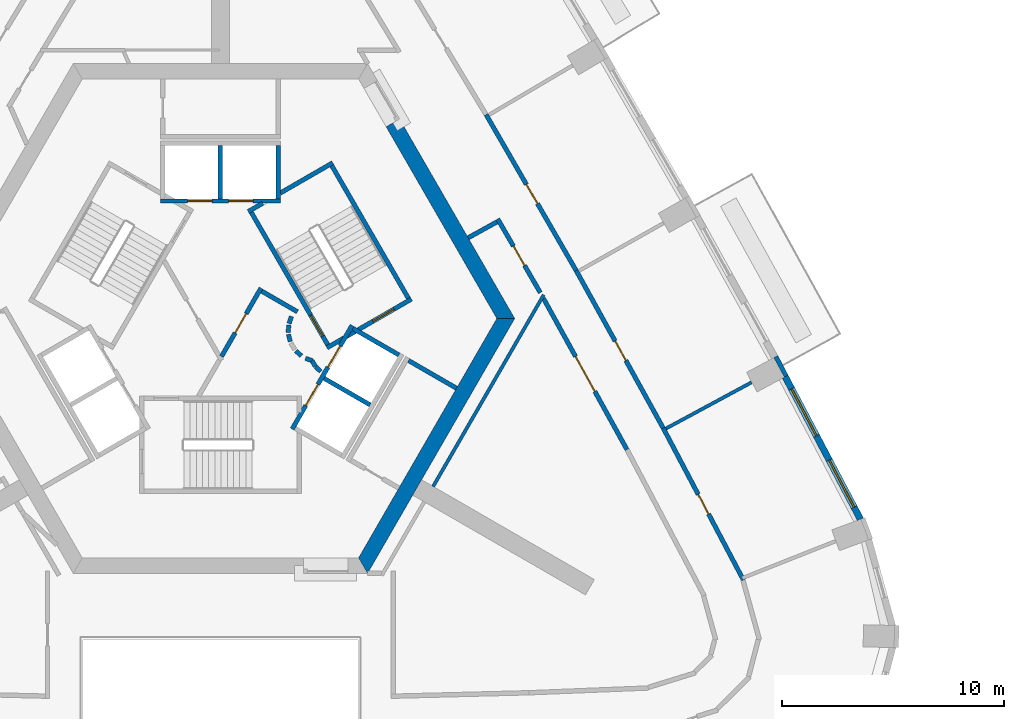
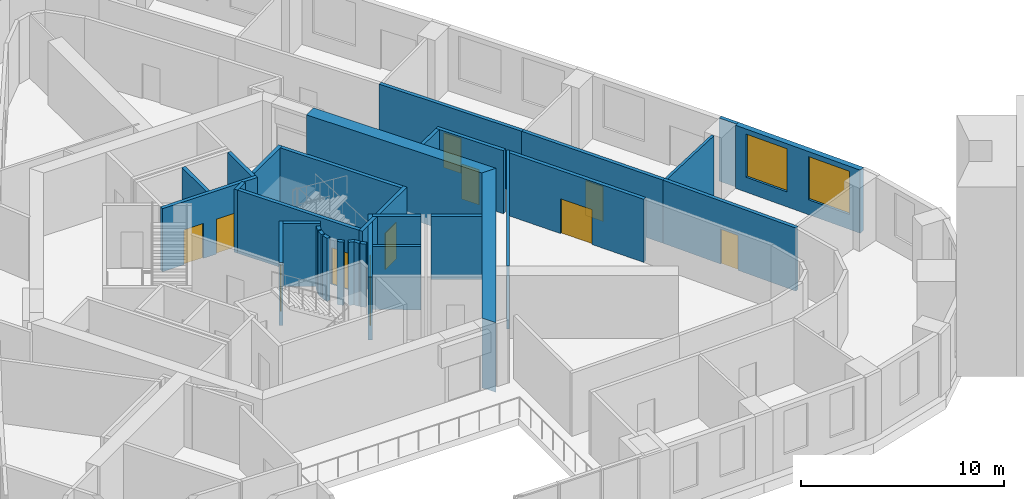
# One storey, part 7 of 13: 33 walls, 12 doors, 2 windows, 14 openings.
"""IFC4 building model written with IfcOpenShell, lengths in metres."""

from ifc_helpers import new_model, si_unit, direction, frame, frame_2d, origin, place, context, subcontext, project, spatial, polyline, rectangle, outline, extrude, material, layer, layer_set, type_object, element, fill, save


model = new_model("IFC4")

# Units and contexts
model_context = context("Model", 3, precision=1e-05, world=origin(), true_north=direction((0.0, 1.0)))
body_context = subcontext(model_context, "Body", "Model", "MODEL_VIEW")
ifc_project = project(units=[si_unit("LENGTHUNIT", "METRE"), si_unit("AREAUNIT", "SQUARE_METRE"), si_unit("VOLUMEUNIT", "CUBIC_METRE"), si_unit("PLANEANGLEUNIT", "RADIAN"), si_unit("MASSUNIT", "GRAM", prefix="KILO")], contexts=[model_context])

# Site, building, storey
site_placement = place(None, origin())
site = spatial("IfcSite", under=ifc_project, at=site_placement, CompositionType="ELEMENT")
building_placement = place(site_placement, origin())
building = spatial("IfcBuilding", under=site, at=building_placement, Name="Entoto Arch Interchange Tower", CompositionType="ELEMENT")
storey_placement = place(building_placement, frame((0.0, 0.0, 202.39990234375)))
storey = spatial("IfcBuildingStorey", under=building, at=storey_placement, Name="L45", CompositionType="ELEMENT", Elevation=202.39990234375)

# Walls
ifc_material_1 = material(Name="Concrete C50/60", Category="concrete")
ifc_layer_1 = layer(ifc_material_1, 0.699951171875)
ifc_layer_set_1 = layer_set([ifc_layer_1], Name="Concrete C50/60")
wall_type_1 = type_object("IfcWallType", Name="Core wall 700 C50/60", PredefinedType="SHEAR", material=ifc_layer_set_1)
wall_1_placement = place(storey_placement, frame((0.0, 0.0, -0.39990234375)))
element("IfcWall", 1, at=wall_1_placement, inside=storey, type_object=wall_type_1, Name="Core wall NE L45", PredefinedType="SHEAR", context=body_context, shape_type="SweptSolid", body=[
    extrude(outline(polyline([(8.083984375, 11.498046875), (7.47802734375, 11.14794921875), (12.470947265625, 2.5), (13.279052734375, 2.5), (8.083984375, 11.498046875)])), origin(), (0.0, 0.0, 1.0), 4.199951171875),
])
wall_2_placement = place(storey_placement, frame((0.0, 0.0, -0.39990234375)))
element("IfcWall", 2, at=wall_2_placement, inside=storey, type_object=wall_type_1, Name="Core wall SE L45", PredefinedType="SHEAR", context=body_context, shape_type="SweptSolid", body=[
    extrude(outline(polyline([(6.639892578125, -9.0), (13.279052734375, 2.5), (12.470947265625, 2.5), (6.235107421875, -8.300048828125), (6.639892578125, -9.0)])), origin(), (0.0, 0.0, 1.0), 4.199951171875),
])

# Wall, openings, doors
ifc_material_2 = material(Name="Concrete C40/50", Category="concrete")
ifc_layer_2 = layer(ifc_material_2, 0.199951171875)
ifc_layer_set_2 = layer_set([ifc_layer_2], Name="Concrete C40/50")
wall_type_2 = type_object("IfcWallType", Name="LIFT SHAFT WALL 200", PredefinedType="STANDARD", material=ifc_layer_set_2)
wall_3_placement = place(storey_placement, frame((2.699951171875, 7.800048828125, 0.0), z_axis=(0.0, 0.0, 1.0), x_axis=(-1.0, 0.0, 0.0)))
wall_3 = element("IfcWall", 3, at=wall_3_placement, inside=storey, type_object=wall_type_2, Name="Shaft wall N1 front", PredefinedType="STANDARD", context=body_context, shape_type="SweptSolid", body=[
    extrude(rectangle(XDim=5.39990234375, YDim=0.199951171875, at=frame_2d((2.699951171875, 0.0))), origin(), (0.0, 0.0, 1.0), 3.800048828125),
])
opening_1_placement = place(wall_3_placement, frame((1.22509765625, 0.0, 0.0)))
opening_1 = element("IfcOpeningElement", 4, at=opening_1_placement, cuts=wall_3, Name="Opening LD-HR1-L45", PredefinedType="OPENING", context=body_context, shape_type="SweptSolid", body=[
    extrude(rectangle(XDim=1.10009765625, YDim=2.10009765625, at=frame_2d((0.550048828125, 1.050048828125))), frame((0.0, 0.10986328125, 0.0), z_axis=(0.0, -1.0, 0.0), x_axis=(1.0, 0.0, 0.0)), (0.0, 0.0, 1.0), 0.219970703125),
])
opening_2_placement = place(wall_3_placement, frame((3.074951171875, 0.0, 0.0)))
opening_2 = element("IfcOpeningElement", 5, at=opening_2_placement, cuts=wall_3, Name="Opening LD-HR2-L45", PredefinedType="OPENING", context=body_context, shape_type="SweptSolid", body=[
    extrude(rectangle(XDim=1.10009765625, YDim=2.10009765625, at=frame_2d((0.550048828125, 1.050048828125))), frame((0.0, 0.10986328125, 0.0), z_axis=(0.0, -1.0, 0.0), x_axis=(1.0, 0.0, 0.0)), (0.0, 0.0, 1.0), 0.219970703125),
])
ifc_material_3 = material(Name="Stainless steel 1.4301 panels", Category="steel")
door_type_1 = type_object("IfcDoorType", Name="LIFT LANDING DOOR LD1 1100x2100", OperationType="SLIDING_TO_LEFT", PredefinedType="DOOR", material=ifc_material_3)
door_1_placement = place(opening_1_placement, origin())
door_1 = element("IfcDoor", 6, at=door_1_placement, inside=storey, type_object=door_type_1, Name="Lift landing door HR1 L45", OperationType="SLIDING_TO_LEFT", OverallHeight=2.10009765625, OverallWidth=1.10009765625, PredefinedType="DOOR", context=body_context, shape_type="SweptSolid", body=[
    extrude(rectangle(XDim=1.10009765625, YDim=2.10009765625, at=frame_2d((0.550048828125, 1.050048828125))), frame((0.0, 0.02490234375, 0.0), z_axis=(0.0, -1.0, 0.0), x_axis=(1.0, 0.0, 0.0)), (0.0, 0.0, 1.0), 0.050048828125),
])
fill(opening_1, door_1)
door_2_placement = place(opening_2_placement, origin())
door_2 = element("IfcDoor", 7, at=door_2_placement, inside=storey, type_object=door_type_1, Name="Lift landing door HR2 L45", OperationType="SLIDING_TO_LEFT", OverallHeight=2.10009765625, OverallWidth=1.10009765625, PredefinedType="DOOR", context=body_context, shape_type="SweptSolid", body=[
    extrude(rectangle(XDim=1.10009765625, YDim=2.10009765625, at=frame_2d((0.550048828125, 1.050048828125))), frame((0.0, 0.02490234375, 0.0), z_axis=(0.0, -1.0, 0.0), x_axis=(1.0, 0.0, 0.0)), (0.0, 0.0, 1.0), 0.050048828125),
])
fill(opening_2, door_2)

# Walls
for number, where, z_axis, x_axis, name in (
    (8, (2.60009765625, 7.89990234375, 0.0), (0.0, 0.0, 1.0), (0.0, 1.0, 0.0), "Shaft wall N1 cross 1"),
    (9, (0.0, 7.89990234375, 0.0), (0.0, 0.0, 1.0), (0.0, 1.0, 0.0), "Shaft wall N1 cross 2"),
):
    element("IfcWall", number, at=place(storey_placement, frame(where, z_axis=z_axis, x_axis=x_axis)), inside=storey, type_object=wall_type_2, Name=name, PredefinedType="STANDARD", context=body_context, shape_type="SweptSolid", body=[
        extrude(rectangle(XDim=2.400146484375, YDim=0.199951171875, at=frame_2d((1.2001953125, 0.0))), origin(), (0.0, 0.0, 1.0), 3.800048828125),
    ])

# Wall, openings, doors
wall_4_placement = place(storey_placement, frame((3.239990234375, -2.488037109375, 0.0), z_axis=(0.0, 0.0, 1.0), x_axis=(0.500034260056, 0.866005622828, 0.0)))
wall_4 = element("IfcWall", 10, at=wall_4_placement, inside=storey, type_object=wall_type_2, Name="Shaft wall SE1 front", PredefinedType="STANDARD", context=body_context, shape_type="SweptSolid", body=[
    extrude(rectangle(XDim=5.3994140625, YDim=0.199951171875, at=frame_2d((2.69970703125, 0.0))), origin(), (0.0, 0.0, 1.0), 3.800048828125),
])
opening_3_placement = place(wall_4_placement, frame((3.22509765625, 0.0, 0.0)))
opening_3 = element("IfcOpeningElement", 11, at=opening_3_placement, cuts=wall_4, Name="Opening LD-HR3-L45", PredefinedType="OPENING", context=body_context, shape_type="SweptSolid", body=[
    extrude(rectangle(XDim=1.10009765625, YDim=2.10009765625, at=frame_2d((0.550048828125, 1.050048828125))), frame((0.0, 0.10986328125, 0.0), z_axis=(0.0, -1.0, 0.0), x_axis=(1.0, 0.0, 0.0)), (0.0, 0.0, 1.0), 0.219970703125),
])
opening_4_placement = place(wall_4_placement, frame((1.22509765625, 0.0, 0.0)))
opening_4 = element("IfcOpeningElement", 12, at=opening_4_placement, cuts=wall_4, Name="Opening LD-FF1-L45", PredefinedType="OPENING", context=body_context, shape_type="SweptSolid", body=[
    extrude(rectangle(XDim=1.10009765625, YDim=2.10009765625, at=frame_2d((0.550048828125, 1.050048828125))), frame((0.0, 0.10986328125, 0.0), z_axis=(0.0, -1.0, 0.0), x_axis=(1.0, 0.0, 0.0)), (0.0, 0.0, 1.0), 0.219970703125),
])
door_3_placement = place(opening_3_placement, origin())
door_3 = element("IfcDoor", 13, at=door_3_placement, inside=storey, type_object=door_type_1, Name="Lift landing door HR3 L45", OperationType="SLIDING_TO_LEFT", OverallHeight=2.10009765625, OverallWidth=1.10009765625, PredefinedType="DOOR", context=body_context, shape_type="SweptSolid", body=[
    extrude(rectangle(XDim=1.10009765625, YDim=2.10009765625, at=frame_2d((0.550048828125, 1.050048828125))), frame((0.0, 0.02490234375, 0.0), z_axis=(0.0, -1.0, 0.0), x_axis=(1.0, 0.0, 0.0)), (0.0, 0.0, 1.0), 0.050048828125),
])
fill(opening_3, door_3)
door_4_placement = place(opening_4_placement, origin())
door_4 = element("IfcDoor", 14, at=door_4_placement, inside=storey, type_object=door_type_1, Name="Lift landing door FF1 L45", OperationType="SLIDING_TO_LEFT", OverallHeight=2.10009765625, OverallWidth=1.10009765625, PredefinedType="DOOR", context=body_context, shape_type="SweptSolid", body=[
    extrude(rectangle(XDim=1.10009765625, YDim=2.10009765625, at=frame_2d((0.550048828125, 1.050048828125))), frame((0.0, 0.02490234375, 0.0), z_axis=(0.0, -1.0, 0.0), x_axis=(1.0, 0.0, 0.0)), (0.0, 0.0, 1.0), 0.050048828125),
])
fill(opening_4, door_4)

# Walls
for number, where, z_axis, x_axis, name in (
    (15, (4.677001953125, -0.199951171875, 0.0), (0.0, 0.0, 1.0), (0.865973769406, -0.500089422704, 0.0), "Shaft wall SE1 cross 2"),
    (16, (5.97705078125, 2.052001953125, 0.0), (0.0, 0.0, 1.0), (0.865973769406, -0.500089422704, 0.0), "Shaft wall SE1 cross 3"),
):
    element("IfcWall", number, at=place(storey_placement, frame(where, z_axis=z_axis, x_axis=x_axis)), inside=storey, type_object=wall_type_2, Name=name, PredefinedType="STANDARD", context=body_context, shape_type="SweptSolid", body=[
        extrude(rectangle(XDim=2.3994140625, YDim=0.199951171875, at=frame_2d((1.19970703125, 0.0))), origin(), (0.0, 0.0, 1.0), 3.800048828125),
    ])
ifc_material_4 = material(Name="Gypsum board partition on steel studs", Category="steel")
ifc_layer_3 = layer(ifc_material_4, 0.14990234375)
ifc_layer_set_3 = layer_set([ifc_layer_3], Name="Gypsum board partition on steel studs")
wall_type_3 = type_object("IfcWallType", Name="PARTITION 150", PredefinedType="PARTITIONING", material=ifc_layer_set_3)
wall_5_placement = place(storey_placement, frame((20.10302734375, -2.466064453125, 0.0), z_axis=(0.0, 0.0, 1.0), x_axis=(0.879965969606, 0.475036727354, 0.0)))
element("IfcWall", 17, at=wall_5_placement, inside=storey, type_object=wall_type_3, Name="wall:L45:p112", PredefinedType="PARTITIONING", context=body_context, shape_type="SweptSolid", body=[
    extrude(rectangle(XDim=4.380859375, YDim=0.14990234375, at=frame_2d((2.1904296875, 0.0))), origin(), (0.0, 0.0, 1.0), 3.800048828125),
])
wall_6_placement = place(storey_placement, frame((9.596923828125, -5.0791015625, 0.0), z_axis=(0.0, 0.0, 1.0), x_axis=(0.499962477963, 0.866047066059, 0.0)))
element("IfcWall", 18, at=wall_6_placement, inside=storey, type_object=wall_type_3, Name="wall:L45:p078", PredefinedType="PARTITIONING", context=body_context, shape_type="SweptSolid", body=[
    extrude(rectangle(XDim=9.978759765625, YDim=0.14990234375, at=frame_2d((4.9892578125, 0.0))), origin(), (0.0, 0.0, 1.0), 3.800048828125),
])

# Wall, opening, door
ifc_layer_4 = layer(ifc_material_4, 0.199951171875)
ifc_layer_set_4 = layer_set([ifc_layer_4], Name="Gypsum board partition on steel studs")
wall_type_4 = type_object("IfcWallType", Name="PARTITION 200", PredefinedType="PARTITIONING", material=ifc_layer_set_4)
wall_7_placement = place(storey_placement, frame((14.43310546875, 3.6630859375, 0.0), z_axis=(0.0, 0.0, 1.0), x_axis=(-0.500149526678, 0.865939057303, 0.0)))
wall_7 = element("IfcWall", 19, at=wall_7_placement, inside=storey, type_object=wall_type_4, Name="wall:L45:p003", PredefinedType="PARTITIONING", context=body_context, shape_type="SweptSolid", body=[
    extrude(rectangle(XDim=3.843017578125, YDim=0.199951171875, at=frame_2d((1.92138671875, 0.0))), origin(), (0.0, 0.0, 1.0), 3.800048828125),
])
opening_5_placement = place(wall_7_placement, frame((1.422119140625, 0.0, 0.0)))
opening_5 = element("IfcOpeningElement", 20, at=opening_5_placement, cuts=wall_7, Name="Opening L45-D26", PredefinedType="OPENING", context=body_context, shape_type="SweptSolid", body=[
    extrude(rectangle(XDim=1.0, YDim=2.10009765625, at=frame_2d((0.5, 1.050048828125))), frame((0.0, 0.10986328125, 0.0), z_axis=(0.0, -1.0, 0.0), x_axis=(1.0, 0.0, 0.0)), (0.0, 0.0, 1.0), 0.219970703125),
])
ifc_material_5 = material(Name="Timber door leaf in Steel S235 frame", Category="steel")
door_type_2 = type_object("IfcDoorType", Name="DOOR DS-10 1000x2100", OperationType="SINGLE_SWING_LEFT", PredefinedType="DOOR", material=ifc_material_5)
door_5_placement = place(opening_5_placement, origin())
door_5 = element("IfcDoor", 21, at=door_5_placement, inside=storey, type_object=door_type_2, Name="door:L45:26", OperationType="SINGLE_SWING_RIGHT", OverallHeight=2.10009765625, OverallWidth=1.0, PredefinedType="DOOR", context=body_context, shape_type="SweptSolid", body=[
    extrude(rectangle(XDim=1.0, YDim=2.10009765625, at=frame_2d((0.5, 1.050048828125))), frame((0.0, 0.02490234375, 0.0), z_axis=(0.0, -1.0, 0.0), x_axis=(1.0, 0.0, 0.0)), (0.0, 0.0, 1.0), 0.050048828125),
])
fill(opening_5, door_5)

# Wall
wall_8_placement = place(storey_placement, frame((12.47412109375, 6.85595703125, 0.0), z_axis=(0.0, 0.0, 1.0), x_axis=(-0.875305814696, -0.483569778584, 0.0)))
element("IfcWall", 22, at=wall_8_placement, inside=storey, type_object=wall_type_4, Name="wall:L45:p004", PredefinedType="PARTITIONING", context=body_context, shape_type="SweptSolid", body=[
    extrude(rectangle(XDim=1.480712890625, YDim=0.199951171875, at=frame_2d((0.740234375, 0.0))), origin(), (0.0, 0.0, 1.0), 3.800048828125),
])

# Wall, opening, door
wall_9_placement = place(storey_placement, frame((18.343994140625, -3.4169921875, 0.0), z_axis=(0.0, 0.0, 1.0), x_axis=(-0.483555501116, 0.875313702247, 0.0)))
wall_9 = element("IfcWall", 23, at=wall_9_placement, inside=storey, type_object=wall_type_4, Name="wall:L45:p022", PredefinedType="PARTITIONING", context=body_context, shape_type="SweptSolid", body=[
    extrude(rectangle(XDim=7.800537109375, YDim=0.199951171875, at=frame_2d((3.900390625, 0.0))), origin(), (0.0, 0.0, 1.0), 3.800048828125),
])
opening_6_placement = place(wall_9_placement, frame((3.0, 0.0, 0.0)))
opening_6 = element("IfcOpeningElement", 24, at=opening_6_placement, cuts=wall_9, Name="Opening L45-D16", PredefinedType="OPENING", context=body_context, shape_type="SweptSolid", body=[
    extrude(rectangle(XDim=1.800048828125, YDim=2.10009765625, at=frame_2d((0.89990234375, 1.050048828125))), frame((0.0, 0.10986328125, 0.0), z_axis=(0.0, -1.0, 0.0), x_axis=(1.0, 0.0, 0.0)), (0.0, 0.0, 1.0), 0.219970703125),
])
door_type_3 = type_object("IfcDoorType", Name="DOOR DD-18 1800x2100", OperationType="DOUBLE_DOOR_SINGLE_SWING", PredefinedType="DOOR", material=ifc_material_5)
door_6_placement = place(opening_6_placement, origin())
door_6 = element("IfcDoor", 25, at=door_6_placement, inside=storey, type_object=door_type_3, Name="door:L45:16", OperationType="DOUBLE_DOOR_SINGLE_SWING", OverallHeight=2.10009765625, OverallWidth=1.800048828125, PredefinedType="DOOR", context=body_context, shape_type="SweptSolid", body=[
    extrude(rectangle(XDim=1.800048828125, YDim=2.10009765625, at=frame_2d((0.89990234375, 1.050048828125))), frame((0.0, 0.02490234375, 0.0), z_axis=(0.0, -1.0, 0.0), x_axis=(1.0, 0.0, 0.0)), (0.0, 0.0, 1.0), 0.050048828125),
])
fill(opening_6, door_6)

wall_10_placement = place(storey_placement, frame((19.97998046875, -2.447998046875, 0.0), z_axis=(0.0, 0.0, 1.0), x_axis=(0.466864023915, -0.884329114738, 0.0)))
wall_10 = element("IfcWall", 26, at=wall_10_placement, inside=storey, type_object=wall_type_4, Name="wall:L45:p043", PredefinedType="PARTITIONING", context=body_context, shape_type="SweptSolid", body=[
    extrude(rectangle(XDim=7.74951171875, YDim=0.199951171875, at=frame_2d((3.874755859375, 0.0))), origin(), (0.0, 0.0, 1.0), 3.800048828125),
])
opening_7_placement = place(wall_10_placement, frame((3.375, 0.0, 0.0)))
opening_7 = element("IfcOpeningElement", 27, at=opening_7_placement, cuts=wall_10, Name="Opening L45-D04", PredefinedType="OPENING", context=body_context, shape_type="SweptSolid", body=[
    extrude(rectangle(XDim=1.0, YDim=2.10009765625, at=frame_2d((0.5, 1.050048828125))), frame((0.0, 0.10986328125, 0.0), z_axis=(0.0, -1.0, 0.0), x_axis=(1.0, 0.0, 0.0)), (0.0, 0.0, 1.0), 0.219970703125),
])
door_7_placement = place(opening_7_placement, origin())
door_7 = element("IfcDoor", 28, at=door_7_placement, inside=storey, type_object=door_type_2, Name="door:L45:04", OperationType="SINGLE_SWING_LEFT", OverallHeight=2.10009765625, OverallWidth=1.0, PredefinedType="DOOR", context=body_context, shape_type="SweptSolid", body=[
    extrude(rectangle(XDim=1.0, YDim=2.10009765625, at=frame_2d((0.5, 1.050048828125))), frame((0.0, 0.02490234375, 0.0), z_axis=(0.0, -1.0, 0.0), x_axis=(1.0, 0.0, 0.0)), (0.0, 0.0, 1.0), 0.050048828125),
])
fill(opening_7, door_7)

wall_11_placement = place(storey_placement, frame((16.051025390625, 4.6630859375, 0.0), z_axis=(0.0, 0.0, 1.0), x_axis=(0.483513440344, -0.875336936846, 0.0)))
wall_11 = element("IfcWall", 29, at=wall_11_placement, inside=storey, type_object=wall_type_4, Name="wall:L45:p044", PredefinedType="PARTITIONING", context=body_context, shape_type="SweptSolid", body=[
    extrude(rectangle(XDim=8.123779296875, YDim=0.199951171875, at=frame_2d((4.06201171875, 0.0))), origin(), (0.0, 0.0, 1.0), 3.800048828125),
])
opening_8_placement = place(wall_11_placement, frame((3.636962890625, 0.0, 0.0)))
opening_8 = element("IfcOpeningElement", 30, at=opening_8_placement, cuts=wall_11, Name="Opening L45-D05", PredefinedType="OPENING", context=body_context, shape_type="SweptSolid", body=[
    extrude(rectangle(XDim=1.0, YDim=2.10009765625, at=frame_2d((0.5, 1.050048828125))), frame((0.0, 0.10986328125, 0.0), z_axis=(0.0, -1.0, 0.0), x_axis=(1.0, 0.0, 0.0)), (0.0, 0.0, 1.0), 0.219970703125),
])
door_8_placement = place(opening_8_placement, origin())
door_8 = element("IfcDoor", 31, at=door_8_placement, inside=storey, type_object=door_type_2, Name="door:L45:05", OperationType="SINGLE_SWING_RIGHT", OverallHeight=2.10009765625, OverallWidth=1.0, PredefinedType="DOOR", context=body_context, shape_type="SweptSolid", body=[
    extrude(rectangle(XDim=1.0, YDim=2.10009765625, at=frame_2d((0.5, 1.050048828125))), frame((0.0, 0.02490234375, 0.0), z_axis=(0.0, -1.0, 0.0), x_axis=(1.0, 0.0, 0.0)), (0.0, 0.0, 1.0), 0.050048828125),
])
fill(opening_8, door_8)

wall_12_placement = place(storey_placement, frame((11.987060546875, 11.697998046875, 0.0), z_axis=(0.0, 0.0, 1.0), x_axis=(0.500075329254, -0.865981908051, 0.0)))
wall_12 = element("IfcWall", 32, at=wall_12_placement, inside=storey, type_object=wall_type_4, Name="wall:L45:p045", PredefinedType="PARTITIONING", context=body_context, shape_type="SweptSolid", body=[
    extrude(rectangle(XDim=8.124755859375, YDim=0.199951171875, at=frame_2d((4.0625, 0.0))), origin(), (0.0, 0.0, 1.0), 3.800048828125),
])
opening_9_placement = place(wall_12_placement, frame((3.636962890625, 0.0, 0.0)))
opening_9 = element("IfcOpeningElement", 33, at=opening_9_placement, cuts=wall_12, Name="Opening L45-D06", PredefinedType="OPENING", context=body_context, shape_type="SweptSolid", body=[
    extrude(rectangle(XDim=1.0, YDim=2.10009765625, at=frame_2d((0.5, 1.050048828125))), frame((0.0, 0.10986328125, 0.0), z_axis=(0.0, -1.0, 0.0), x_axis=(1.0, 0.0, 0.0)), (0.0, 0.0, 1.0), 0.219970703125),
])
door_9_placement = place(opening_9_placement, origin())
door_9 = element("IfcDoor", 34, at=door_9_placement, inside=storey, type_object=door_type_2, Name="door:L45:06", OperationType="SINGLE_SWING_RIGHT", OverallHeight=2.10009765625, OverallWidth=1.0, PredefinedType="DOOR", context=body_context, shape_type="SweptSolid", body=[
    extrude(rectangle(XDim=1.0, YDim=2.10009765625, at=frame_2d((0.5, 1.050048828125))), frame((0.0, 0.02490234375, 0.0), z_axis=(0.0, -1.0, 0.0), x_axis=(1.0, 0.0, 0.0)), (0.0, 0.0, 1.0), 0.050048828125),
])
fill(opening_9, door_9)

# Wall
wall_13_placement = place(storey_placement, frame((8.488037109375, 0.60205078125, 0.0), z_axis=(0.0, 0.0, 1.0), x_axis=(0.866022959057, -0.500004234368, 0.0)))
element("IfcWall", 35, at=wall_13_placement, inside=storey, type_object=wall_type_4, Name="wall:L45:p071", PredefinedType="PARTITIONING", context=body_context, shape_type="SweptSolid", body=[
    extrude(rectangle(XDim=2.5, YDim=0.199951171875, at=frame_2d((1.25, 0.0))), origin(), (0.0, 0.0, 1.0), 3.800048828125),
])

# Wall, opening, door
wall_14_placement = place(storey_placement, frame((0.050048828125, 0.787109375, 0.0), z_axis=(0.0, 0.0, 1.0), x_axis=(0.499954076797, 0.866051915934, 0.0)))
wall_14 = element("IfcWall", 36, at=wall_14_placement, inside=storey, type_object=wall_type_4, Name="wall:L45:p080", PredefinedType="PARTITIONING", context=body_context, shape_type="SweptSolid", body=[
    extrude(rectangle(XDim=3.558349609375, YDim=0.199951171875, at=frame_2d((1.779296875, 0.0))), origin(), (0.0, 0.0, 1.0), 3.800048828125),
])
opening_10_placement = place(wall_14_placement, frame((1.22900390625, 0.0, 0.0)))
opening_10 = element("IfcOpeningElement", 37, at=opening_10_placement, cuts=wall_14, Name="Opening L45-D27", PredefinedType="OPENING", context=body_context, shape_type="SweptSolid", body=[
    extrude(rectangle(XDim=1.0, YDim=2.10009765625, at=frame_2d((0.5, 1.050048828125))), frame((0.0, 0.10986328125, 0.0), z_axis=(0.0, -1.0, 0.0), x_axis=(1.0, 0.0, 0.0)), (0.0, 0.0, 1.0), 0.219970703125),
])
ifc_material_6 = material(Name="Fire-rated Steel S235 door and frame", Category="steel")
door_type_4 = type_object("IfcDoorType", Name="DOOR FD-10 1000x2100", OperationType="SINGLE_SWING_LEFT", PredefinedType="DOOR", material=ifc_material_6)
door_10_placement = place(opening_10_placement, origin())
door_10 = element("IfcDoor", 38, at=door_10_placement, inside=storey, type_object=door_type_4, Name="door:L45:27", OperationType="SINGLE_SWING_RIGHT", OverallHeight=2.10009765625, OverallWidth=1.0, PredefinedType="DOOR", context=body_context, shape_type="SweptSolid", body=[
    extrude(rectangle(XDim=1.0, YDim=2.10009765625, at=frame_2d((0.5, 1.050048828125))), frame((0.0, 0.02490234375, 0.0), z_axis=(0.0, -1.0, 0.0), x_axis=(1.0, 0.0, 0.0)), (0.0, 0.0, 1.0), 0.050048828125),
])
fill(opening_10, door_10)

# Walls
wall_15_placement = place(storey_placement, frame((1.865966796875, 3.73193359375, 0.0), z_axis=(0.0, 0.0, 1.0), x_axis=(0.866043361281, -0.499968895414, 0.0)))
element("IfcWall", 39, at=wall_15_placement, inside=storey, type_object=wall_type_4, Name="wall:L45:p081", PredefinedType="PARTITIONING", context=body_context, shape_type="SweptSolid", body=[
    extrude(rectangle(XDim=1.85791015625, YDim=0.199951171875, at=frame_2d((0.928955078125, 0.0))), origin(), (0.0, 0.0, 1.0), 3.800048828125),
])
wall_16_placement = place(storey_placement, frame((3.2080078125, 2.592041015625, 0.0), z_axis=(0.0, 0.0, 1.0), x_axis=(-0.337388820924, -0.941365382578, 0.0)))
element("IfcWall", 40, at=wall_16_placement, inside=storey, type_object=wall_type_4, Name="wall:L45:p082", PredefinedType="PARTITIONING", context=body_context, shape_type="SweptSolid", body=[
    extrude(rectangle(XDim=0.337890625, YDim=0.199951171875, at=frame_2d((0.1689453125, 0.0))), origin(), (0.0, 0.0, 1.0), 3.800048828125),
])
wall_17_placement = place(storey_placement, frame((3.0791015625, 2.198974609375, 0.0), z_axis=(0.0, 0.0, 1.0), x_axis=(-0.047771483479, -0.998858290933, 0.0)))
element("IfcWall", 41, at=wall_17_placement, inside=storey, type_object=wall_type_4, Name="wall:L45:p083", PredefinedType="PARTITIONING", context=body_context, shape_type="SweptSolid", body=[
    extrude(rectangle(XDim=0.33740234375, YDim=0.199951171875, at=frame_2d((0.168701171875, 0.0))), origin(), (0.0, 0.0, 1.0), 3.800048828125),
])
wall_18_placement = place(storey_placement, frame((3.070068359375, 1.785888671875, 0.0), z_axis=(0.0, 0.0, 1.0), x_axis=(0.242705583207, -0.970099994784, 0.0)))
element("IfcWall", 42, at=wall_18_placement, inside=storey, type_object=wall_type_4, Name="wall:L45:p084", PredefinedType="PARTITIONING", context=body_context, shape_type="SweptSolid", body=[
    extrude(rectangle(XDim=0.337890625, YDim=0.199951171875, at=frame_2d((0.1689453125, 0.0))), origin(), (0.0, 0.0, 1.0), 3.800048828125),
])
wall_19_placement = place(storey_placement, frame((3.404052734375, 1.0390625, 0.0), z_axis=(0.0, 0.0, 1.0), x_axis=(0.740267097712, -0.672312891476, 0.0)))
element("IfcWall", 43, at=wall_19_placement, inside=storey, type_object=wall_type_4, Name="wall:L45:p086", PredefinedType="PARTITIONING", context=body_context, shape_type="SweptSolid", body=[
    extrude(rectangle(XDim=0.337646484375, YDim=0.199951171875, at=frame_2d((0.1689453125, 0.0))), origin(), (0.0, 0.0, 1.0), 3.800048828125),
])
wall_20_placement = place(storey_placement, frame((3.837890625, 0.701904296875, 0.0), z_axis=(0.0, 0.0, 1.0), x_axis=(0.941035081519, -0.338308993895, 0.0)))
element("IfcWall", 44, at=wall_20_placement, inside=storey, type_object=wall_type_4, Name="wall:L45:p087", PredefinedType="PARTITIONING", context=body_context, shape_type="SweptSolid", body=[
    extrude(rectangle(XDim=0.3369140625, YDim=0.199951171875, at=frame_2d((0.16845703125, 0.0))), origin(), (0.0, 0.0, 1.0), 3.800048828125),
])
wall_21_placement = place(storey_placement, frame((4.132080078125, 0.593017578125, 0.0), z_axis=(0.0, 0.0, 1.0), x_axis=(0.513561617048, -0.858052717201, 0.0)))
element("IfcWall", 45, at=wall_21_placement, inside=storey, type_object=wall_type_4, Name="wall:L45:p088", PredefinedType="PARTITIONING", context=body_context, shape_type="SweptSolid", body=[
    extrude(rectangle(XDim=0.3076171875, YDim=0.199951171875, at=frame_2d((0.15380859375, 0.0))), origin(), (0.0, 0.0, 1.0), 3.800048828125),
])
wall_22_placement = place(storey_placement, frame((4.301025390625, 0.31494140625, 0.0), z_axis=(0.0, 0.0, 1.0), x_axis=(0.741798017506, -0.670623367639, 0.0)))
element("IfcWall", 46, at=wall_22_placement, inside=storey, type_object=wall_type_4, Name="wall:L45:p089", PredefinedType="PARTITIONING", context=body_context, shape_type="SweptSolid", body=[
    extrude(rectangle(XDim=0.30859375, YDim=0.199951171875, at=frame_2d((0.154296875, 0.0))), origin(), (0.0, 0.0, 1.0), 3.800048828125),
])

# Wall, opening, door
ifc_layer_5 = layer(ifc_material_2, 0.199951171875)
ifc_layer_set_5 = layer_set([ifc_layer_5], Name="Concrete C40/50")
wall_type_5 = type_object("IfcWallType", Name="STAIR ENCLOSURE WALL 200", PredefinedType="STANDARD", material=ifc_layer_set_5)
wall_23_placement = place(storey_placement, frame((4.805908203125, 1.176025390625, 0.0), z_axis=(0.0, 0.0, 1.0), x_axis=(0.866059941101, 0.499940174841, 0.0)))
wall_23 = element("IfcWall", 47, at=wall_23_placement, inside=storey, type_object=wall_type_5, Name="Stair wall ST-NE near", PredefinedType="STANDARD", context=body_context, shape_type="SweptSolid", body=[
    extrude(rectangle(XDim=4.400390625, YDim=0.199951171875, at=frame_2d((2.2001953125, 0.0))), origin(), (0.0, 0.0, 1.0), 3.800048828125),
])
opening_11_placement = place(wall_23_placement, frame((2.39990234375, 0.0, 0.0)))
opening_11 = element("IfcOpeningElement", 48, at=opening_11_placement, cuts=wall_23, Name="Opening SD-ST-NE-L45-E", PredefinedType="OPENING", context=body_context, shape_type="SweptSolid", body=[
    extrude(rectangle(XDim=1.10009765625, YDim=2.199951171875, at=frame_2d((0.550048828125, 1.10009765625))), frame((0.0, 0.10986328125, 0.0), z_axis=(0.0, -1.0, 0.0), x_axis=(1.0, 0.0, 0.0)), (0.0, 0.0, 1.0), 0.219970703125),
])
ifc_material_7 = material(Name="Steel S235", Category="steel")
door_type_5 = type_object("IfcDoorType", Name="STAIR DOOR SD1 1100x2200", OperationType="SINGLE_SWING_LEFT", PredefinedType="DOOR", material=ifc_material_7)
door_11_placement = place(opening_11_placement, origin())
door_11 = element("IfcDoor", 49, at=door_11_placement, inside=storey, type_object=door_type_5, Name="Stair door ST-NE L45 end", OperationType="SINGLE_SWING_LEFT", OverallHeight=2.199951171875, OverallWidth=1.10009765625, PredefinedType="DOOR", context=body_context, shape_type="SweptSolid", body=[
    extrude(rectangle(XDim=1.10009765625, YDim=2.199951171875, at=frame_2d((0.550048828125, 1.10009765625))), frame((0.0, 0.02490234375, 0.0), z_axis=(0.0, -1.0, 0.0), x_axis=(1.0, 0.0, 0.0)), (0.0, 0.0, 1.0), 0.050048828125),
])
fill(opening_11, door_11)

# Walls
wall_24_placement = place(storey_placement, frame((2.699951171875, 8.157958984375, 0.0), z_axis=(0.0, 0.0, 1.0), x_axis=(0.86611865017, 0.499838457731, 0.0)))
element("IfcWall", 50, at=wall_24_placement, inside=storey, type_object=wall_type_5, Name="Stair wall ST-NE far", PredefinedType="STANDARD", context=body_context, shape_type="SweptSolid", body=[
    extrude(rectangle(XDim=2.73291015625, YDim=0.199951171875, at=frame_2d((1.366455078125, 0.0))), origin(), (0.0, 0.0, 1.0), 3.800048828125),
])
wall_25_placement = place(storey_placement, frame((1.256103515625, 7.323974609375, 0.0), z_axis=(0.0, 0.0, 1.0), x_axis=(0.865915093549, 0.500191014278, 0.0)))
element("IfcWall", 51, at=wall_25_placement, inside=storey, type_object=wall_type_5, Name="Stair wall ST-NE far return", PredefinedType="STANDARD", context=body_context, shape_type="SweptSolid", body=[
    extrude(rectangle(XDim=0.751708984375, YDim=0.199951171875, at=frame_2d((0.3759765625, 0.0))), origin(), (0.0, 0.0, 1.0), 3.800048828125),
])

# Wall, opening, door
wall_26_placement = place(storey_placement, frame((4.843017578125, 1.31201171875, 0.0), z_axis=(0.0, 0.0, 1.0), x_axis=(-0.499963383562, 0.866046543262, 0.0)))
wall_26 = element("IfcWall", 52, at=wall_26_placement, inside=storey, type_object=wall_type_5, Name="Stair wall ST-NE hall", PredefinedType="STANDARD", context=body_context, shape_type="SweptSolid", body=[
    extrude(rectangle(XDim=6.900390625, YDim=0.199951171875, at=frame_2d((3.4501953125, 0.0))), origin(), (0.0, 0.0, 1.0), 3.800048828125),
])
opening_12_placement = place(wall_26_placement, frame((0.449951171875, 0.0, 0.0)))
opening_12 = element("IfcOpeningElement", 53, at=opening_12_placement, cuts=wall_26, Name="Opening SD-ST-NE-L45", PredefinedType="OPENING", context=body_context, shape_type="SweptSolid", body=[
    extrude(rectangle(XDim=1.10009765625, YDim=2.199951171875, at=frame_2d((0.550048828125, 1.10009765625))), frame((0.0, 0.10986328125, 0.0), z_axis=(0.0, -1.0, 0.0), x_axis=(1.0, 0.0, 0.0)), (0.0, 0.0, 1.0), 0.219970703125),
])
door_12_placement = place(opening_12_placement, origin())
door_12 = element("IfcDoor", 54, at=door_12_placement, inside=storey, type_object=door_type_5, Name="Stair door ST-NE L45", OperationType="SINGLE_SWING_LEFT", OverallHeight=2.199951171875, OverallWidth=1.10009765625, PredefinedType="DOOR", context=body_context, shape_type="SweptSolid", body=[
    extrude(rectangle(XDim=1.10009765625, YDim=2.199951171875, at=frame_2d((0.550048828125, 1.10009765625))), frame((0.0, 0.02490234375, 0.0), z_axis=(0.0, -1.0, 0.0), x_axis=(1.0, 0.0, 0.0)), (0.0, 0.0, 1.0), 0.050048828125),
])
fill(opening_12, door_12)

# Wall
wall_27_placement = place(storey_placement, frame((8.47998046875, 3.412109375, 0.0), z_axis=(0.0, 0.0, 1.0), x_axis=(-0.499978703459, 0.866037698999, 0.0)))
element("IfcWall", 55, at=wall_27_placement, inside=storey, type_object=wall_type_5, Name="Stair wall ST-NE back", PredefinedType="STANDARD", context=body_context, shape_type="SweptSolid", body=[
    extrude(rectangle(XDim=6.900146484375, YDim=0.199951171875, at=frame_2d((3.4501953125, 0.0))), origin(), (0.0, 0.0, 1.0), 3.800048828125),
])

# Wall, openings, windows
ifc_material_8 = material(Name="Welded tuff (ignimbrite) cladding, warm buff", Category="masonry")
ifc_layer_6 = layer(ifc_material_8, 0.300048828125)
ifc_layer_set_6 = layer_set([ifc_layer_6], Name="Welded tuff (ignimbrite) cladding, warm buff")
wall_type_6 = type_object("IfcWallType", Name="STONE INFILL WALL 300", PredefinedType="STANDARD", material=ifc_layer_set_6)
wall_28_placement = place(storey_placement, frame((28.87890625, -6.55908203125, 0.0), z_axis=(0.0, 0.0, 1.0), x_axis=(-0.466789249342, 0.884368586449, 0.0)))
wall_28 = element("IfcWall", 56, at=wall_28_placement, inside=storey, type_object=wall_type_6, Name="Facade wall NE-01 L45", PredefinedType="STANDARD", context=body_context, shape_type="SweptSolid", body=[
    extrude(rectangle(XDim=7.273193359375, YDim=0.300048828125, at=frame_2d((3.63671875, 0.0))), origin(), (0.0, 0.0, 1.0), 3.800048828125),
])
opening_13_placement = place(wall_28_placement, frame((0.617919921875, 0.0, 0.89990234375)))
opening_13 = element("IfcOpeningElement", 57, at=opening_13_placement, cuts=wall_28, Name="Opening WO-A", PredefinedType="OPENING", context=body_context, shape_type="SweptSolid", body=[
    extrude(rectangle(XDim=2.39990234375, YDim=2.60009765625, at=frame_2d((1.199951171875, 1.300048828125))), frame((0.0, 0.16015625, 0.0), z_axis=(0.0, -1.0, 0.0), x_axis=(1.0, 0.0, 0.0)), (0.0, 0.0, 1.0), 0.320068359375),
])
opening_14_placement = place(wall_28_placement, frame((4.2548828125, 0.0, 0.89990234375)))
opening_14 = element("IfcOpeningElement", 58, at=opening_14_placement, cuts=wall_28, Name="Opening WO-A", PredefinedType="OPENING", context=body_context, shape_type="SweptSolid", body=[
    extrude(rectangle(XDim=2.39990234375, YDim=2.60009765625, at=frame_2d((1.199951171875, 1.300048828125))), frame((0.0, 0.16015625, 0.0), z_axis=(0.0, -1.0, 0.0), x_axis=(1.0, 0.0, 0.0)), (0.0, 0.0, 1.0), 0.320068359375),
])
ifc_material_9 = material(Name="Clear glass, low-e double glazed", Category="glass")
window_type = type_object("IfcWindowType", Name="WINDOW WO-A 2400x2600", PartitioningType="DOUBLE_PANEL_VERTICAL", PredefinedType="WINDOW", material=ifc_material_9)
window_1_placement = place(opening_13_placement, origin())
window_1 = element("IfcWindow", 59, at=window_1_placement, inside=storey, type_object=window_type, Name="Window WO-A NE-01 L45", OverallHeight=2.60009765625, OverallWidth=2.39990234375, PartitioningType="SINGLE_PANEL", PredefinedType="WINDOW", context=body_context, shape_type="SweptSolid", body=[
    extrude(rectangle(XDim=2.39990234375, YDim=2.60009765625, at=frame_2d((1.199951171875, 1.300048828125))), frame((0.0, 0.030029296875, 0.0), z_axis=(0.0, -1.0, 0.0), x_axis=(1.0, 0.0, 0.0)), (0.0, 0.0, 1.0), 0.06005859375),
])
fill(opening_13, window_1)
window_2_placement = place(opening_14_placement, origin())
window_2 = element("IfcWindow", 60, at=window_2_placement, inside=storey, type_object=window_type, Name="Window WO-A NE-01 L45", OverallHeight=2.60009765625, OverallWidth=2.39990234375, PartitioningType="SINGLE_PANEL", PredefinedType="WINDOW", context=body_context, shape_type="SweptSolid", body=[
    extrude(rectangle(XDim=2.39990234375, YDim=2.60009765625, at=frame_2d((1.199951171875, 1.300048828125))), frame((0.0, 0.030029296875, 0.0), z_axis=(0.0, -1.0, 0.0), x_axis=(1.0, 0.0, 0.0)), (0.0, 0.0, 1.0), 0.06005859375),
])
fill(opening_14, window_2)

# Wall
ifc_layer_7 = layer(ifc_material_8, 0.199951171875)
ifc_layer_set_7 = layer_set([ifc_layer_7], Name="Welded tuff (ignimbrite) cladding, warm buff")
wall_type_7 = type_object("IfcWallType", Name="STONE PIER CLADDING 200", PredefinedType="STANDARD", material=ifc_layer_set_7)
wall_29_placement = place(storey_placement, frame((25.531982421875, -0.10302734375, 0.0), z_axis=(0.0, 0.0, 1.0), x_axis=(-0.473663196434, 0.88070606694, 0.0)))
element("IfcWall", 61, at=wall_29_placement, inside=storey, type_object=wall_type_7, Name="Stone pier NE02 L45", PredefinedType="STANDARD", context=body_context, shape_type="SweptSolid", body=[
    extrude(rectangle(XDim=1.00048828125, YDim=0.199951171875, at=frame_2d((0.500244140625, 0.0))), origin(), (0.0, 0.0, 1.0), 3.800048828125),
])

save(model, "model.ifc")
